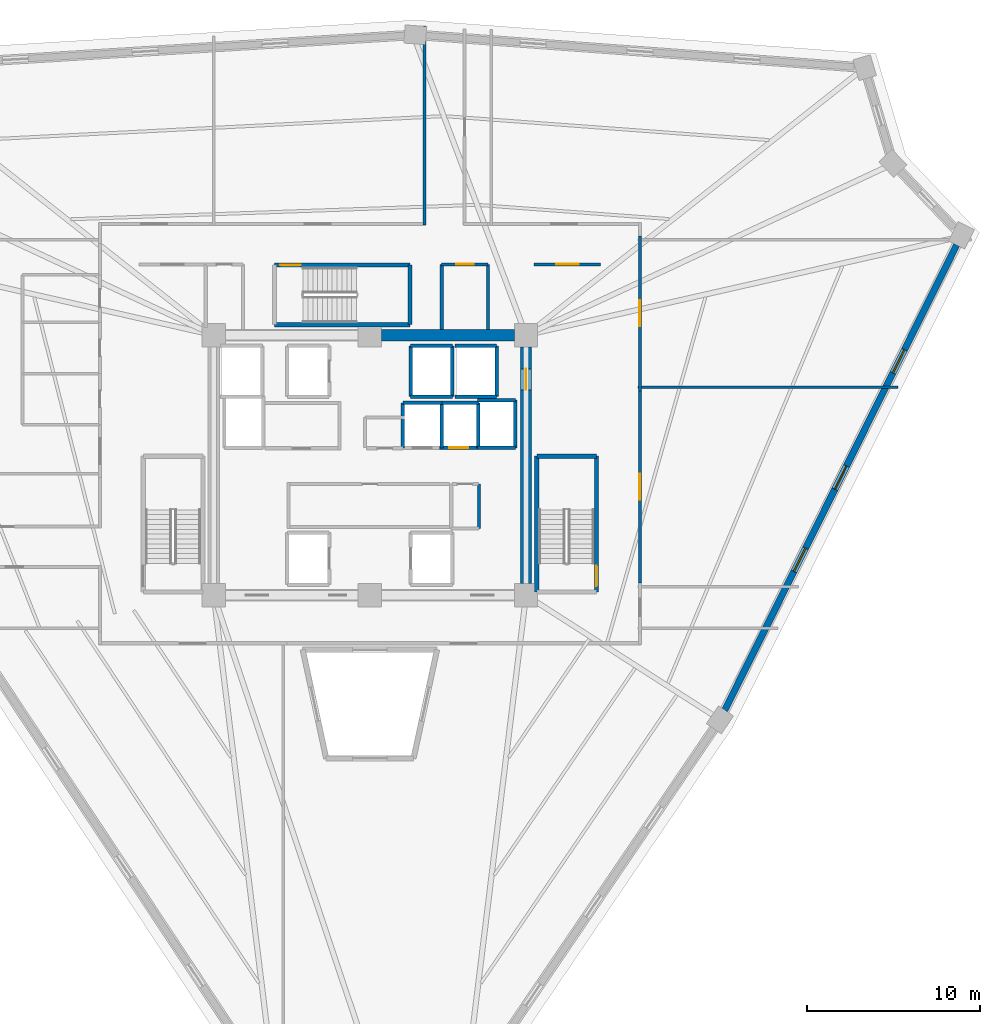
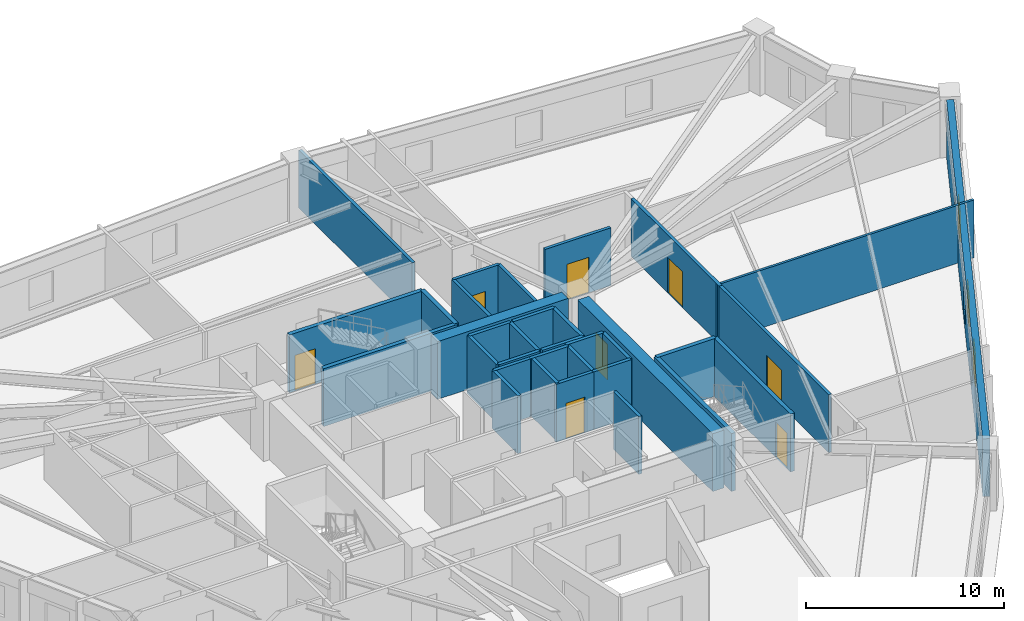
# One storey, part 6 of 8: 34 walls, 8 doors, 3 windows, 11 openings.
"""IFC4 building model written with IfcOpenShell, lengths in metres."""

from ifc_helpers import new_model, si_unit, direction, frame, frame_2d, origin, place, context, subcontext, project, spatial, rectangle, extrude, source, transform, mapped, material, layer, layer_set, type_object, element, fill, save


model = new_model("IFC4")

# Units and contexts
model_context = context("Model", 3, precision=1e-05, world=origin(), true_north=direction((0.0, 1.0)))
body_context = subcontext(model_context, "Body", "Model", "MODEL_VIEW")
ifc_project = project(units=[si_unit("LENGTHUNIT", "METRE"), si_unit("AREAUNIT", "SQUARE_METRE"), si_unit("VOLUMEUNIT", "CUBIC_METRE"), si_unit("PLANEANGLEUNIT", "RADIAN"), si_unit("MASSUNIT", "GRAM", prefix="KILO")], contexts=[model_context])

# Site, building, storey
site_placement = place(None, origin())
site = spatial("IfcSite", under=ifc_project, at=site_placement, CompositionType="ELEMENT")
building_placement = place(site_placement, origin())
building = spatial("IfcBuilding", under=site, at=building_placement, Name="Liaohun Quay Tower", CompositionType="ELEMENT")
storey_placement = place(building_placement, frame((0.0, 0.0, 198.0)))
storey = spatial("IfcBuildingStorey", under=building, at=storey_placement, Name="L51", CompositionType="ELEMENT", Elevation=198.0)

# Wall
ifc_material_1 = material(Name="Concrete C55", Category="concrete")
ifc_layer_1 = layer(ifc_material_1, 0.64990234375, Name="Concrete C55", Category="concrete")
ifc_layer_set_1 = layer_set([ifc_layer_1], Name="Concrete C55")
wall_type_1 = type_object("IfcWallType", Name="WAL-COR-Z3", PredefinedType="SHEAR", material=ifc_layer_set_1)
wall_1_placement = place(storey_placement, frame((60.675048828125, 61.5, 0.0), z_axis=(0.0, 0.0, 1.0), x_axis=(1.0, 0.0, 0.0)))
element("IfcWall", 1, at=wall_1_placement, inside=storey, type_object=wall_type_1, Name="L51 Central Core Shear Wall N-E", PredefinedType="SHEAR", context=body_context, shape_type="SweptSolid", body=[
    extrude(rectangle(XDim=7.64990234375, YDim=0.64990234375, at=frame_2d((3.824951171875, 0.0))), origin(), (0.0, 0.0, 1.0), 3.570068359375),
])

# Wall, opening, door
wall_2_placement = place(storey_placement, frame((69.0, 60.824951171875, 0.0), z_axis=(0.0, 0.0, 1.0), x_axis=(0.0, -1.0, 0.0)))
wall_2 = element("IfcWall", 2, at=wall_2_placement, inside=storey, type_object=wall_type_1, Name="L51 Central Core Shear Wall E", PredefinedType="SHEAR", context=body_context, shape_type="SweptSolid", body=[
    extrude(rectangle(XDim=13.64990234375, YDim=0.64990234375, at=frame_2d((6.824951171875, 0.0))), origin(), (0.0, 0.0, 1.0), 3.570068359375),
])
shared_shape_1 = source(origin(), body_context, "Body", "SweptSolid", [
    extrude(rectangle(XDim=1.199951171875, YDim=2.199951171875, at=frame_2d((0.60009765625, 1.10009765625))), frame((0.0, 0.3349609375, 0.0), z_axis=(0.0, -1.0, 0.0), x_axis=(1.0, 0.0, 0.0)), (0.0, 0.0, 1.0), 0.669921875),
])
opening_1_placement = place(wall_2_placement, frame((1.27490234375, 0.0, 0.0)))
opening_1 = element("IfcOpeningElement", 3, at=opening_1_placement, cuts=wall_2, Name="Opening SD1", PredefinedType="OPENING", context=body_context, shape_type="MappedRepresentation", body=[
    mapped(shared_shape_1, transform((0.0, 0.0, 0.0), x_axis=(1.0, 0.0, 0.0), y_axis=(0.0, 1.0, 0.0), z_axis=(0.0, 0.0, 1.0), scale=1.0)),
])
ifc_material_2 = material(Name="Galvanised steel fire door", Category="steel")
door_type_1 = type_object("IfcDoorType", Name="DOR-STR-1200", OperationType="NOTDEFINED", PredefinedType="DOOR", material=ifc_material_2)
shared_shape_2 = source(origin(), body_context, "Body", "SweptSolid", [
    extrude(rectangle(XDim=1.199951171875, YDim=2.199951171875, at=frame_2d((0.60009765625, 1.10009765625))), frame((0.0, 0.02490234375, 0.0), z_axis=(0.0, -1.0, 0.0), x_axis=(1.0, 0.0, 0.0)), (0.0, 0.0, 1.0), 0.050048828125),
])
door_1_placement = place(opening_1_placement, origin())
door_1 = element("IfcDoor", 4, at=door_1_placement, inside=storey, type_object=door_type_1, Name="L51 North-East Core Lobby Smokeproof Door", OperationType="SINGLE_SWING_LEFT", OverallHeight=2.199951171875, OverallWidth=1.199951171875, PredefinedType="DOOR", context=body_context, shape_type="MappedRepresentation", body=[
    mapped(shared_shape_2, transform((0.0, 0.0, 0.0), x_axis=(1.0, 0.0, 0.0), y_axis=(0.0, 1.0, 0.0), z_axis=(0.0, 0.0, 1.0), scale=1.0)),
])
fill(opening_1, door_1)

# Wall, openings, windows
ifc_material_3 = material(Name="Precast concrete C50 insulated sandwich", Category="concrete")
ifc_layer_2 = layer(ifc_material_3, 0.3798828125, Name="Precast concrete C50 insulated sandwich", Category="concrete")
ifc_layer_set_2 = layer_set([ifc_layer_2], Name="Precast concrete C50 insulated sandwich")
wall_type_2 = type_object("IfcWallType", Name="WAL-EXT-Z34", PredefinedType="SOLIDWALL", material=ifc_layer_set_2)
wall_3_placement = place(storey_placement, frame((80.451904296875, 39.875, 0.0), z_axis=(0.0, 0.0, 1.0), x_axis=(0.446173861236, 0.894946303166, 0.0)))
wall_3 = element("IfcWall", 5, at=wall_3_placement, inside=storey, type_object=wall_type_2, Name="L51 Brutalist Precast Pier Wall 03", PredefinedType="SOLIDWALL", context=body_context, shape_type="SweptSolid", body=[
    extrude(rectangle(XDim=29.970458984375, YDim=0.3798828125, at=frame_2d((14.9853515625, 0.0))), origin(), (0.0, 0.0, 1.0), 3.570068359375),
])
shared_shape_3 = source(origin(), body_context, "Body", "SweptSolid", [
    extrude(rectangle(XDim=1.5, YDim=1.89990234375, at=frame_2d((0.75, 0.949951171875))), frame((0.0, 0.199951171875, 0.0), z_axis=(0.0, -1.0, 0.0), x_axis=(1.0, 0.0, 0.0)), (0.0, 0.0, 1.0), 0.39990234375),
])
opening_2_placement = place(wall_3_placement, frame((8.943115234375, 0.0, 0.550048828125)))
opening_2 = element("IfcOpeningElement", 6, at=opening_2_placement, cuts=wall_3, Name="Opening W03", PredefinedType="OPENING", context=body_context, shape_type="MappedRepresentation", body=[
    mapped(shared_shape_3, transform((0.0, 0.0, 0.0), x_axis=(1.0, 0.0, 0.0), y_axis=(0.0, 1.0, 0.0), z_axis=(0.0, 0.0, 1.0), scale=1.0)),
])
opening_3_placement = place(wall_3_placement, frame((14.235107421875, 0.0, 0.550048828125)))
opening_3 = element("IfcOpeningElement", 7, at=opening_3_placement, cuts=wall_3, Name="Opening W03", PredefinedType="OPENING", context=body_context, shape_type="MappedRepresentation", body=[
    mapped(shared_shape_3, transform((0.0, 0.0, 0.0), x_axis=(1.0, 0.0, 0.0), y_axis=(0.0, 1.0, 0.0), z_axis=(0.0, 0.0, 1.0), scale=1.0)),
])
opening_4_placement = place(wall_3_placement, frame((21.72802734375, 0.0, 0.550048828125)))
opening_4 = element("IfcOpeningElement", 8, at=opening_4_placement, cuts=wall_3, Name="Opening W03", PredefinedType="OPENING", context=body_context, shape_type="MappedRepresentation", body=[
    mapped(shared_shape_3, transform((0.0, 0.0, 0.0), x_axis=(1.0, 0.0, 0.0), y_axis=(0.0, 1.0, 0.0), z_axis=(0.0, 0.0, 1.0), scale=1.0)),
])
ifc_material_4 = material(Name="Triple Low-E argon glazing in thermally broken aluminium", Category="aluminium")
window_type = type_object("IfcWindowType", Name="WIN-PUN-Z3", PartitioningType="DOUBLE_PANEL_VERTICAL", PredefinedType="WINDOW", material=ifc_material_4)
shared_shape_4 = source(origin(), body_context, "Body", "SweptSolid", [
    extrude(rectangle(XDim=1.5, YDim=1.89990234375, at=frame_2d((0.75, 0.949951171875))), frame((0.0, 0.030029296875, 0.0), z_axis=(0.0, -1.0, 0.0), x_axis=(1.0, 0.0, 0.0)), (0.0, 0.0, 1.0), 0.06005859375),
])
window_1_placement = place(opening_2_placement, origin())
window_1 = element("IfcWindow", 9, at=window_1_placement, inside=storey, type_object=window_type, Name="L51 Recessed Cold-Climate Punched Window 03-1", OverallHeight=1.89990234375, OverallWidth=1.5, PartitioningType="DOUBLE_PANEL_VERTICAL", PredefinedType="WINDOW", context=body_context, shape_type="MappedRepresentation", body=[
    mapped(shared_shape_4, transform((0.0, 0.0, 0.0), x_axis=(1.0, 0.0, 0.0), y_axis=(0.0, 1.0, 0.0), z_axis=(0.0, 0.0, 1.0), scale=1.0)),
])
fill(opening_2, window_1)
window_2_placement = place(opening_3_placement, origin())
window_2 = element("IfcWindow", 10, at=window_2_placement, inside=storey, type_object=window_type, Name="L51 Recessed Cold-Climate Punched Window 03-2", OverallHeight=1.89990234375, OverallWidth=1.5, PartitioningType="DOUBLE_PANEL_VERTICAL", PredefinedType="WINDOW", context=body_context, shape_type="MappedRepresentation", body=[
    mapped(shared_shape_4, transform((0.0, 0.0, 0.0), x_axis=(1.0, 0.0, 0.0), y_axis=(0.0, 1.0, 0.0), z_axis=(0.0, 0.0, 1.0), scale=1.0)),
])
fill(opening_3, window_2)
window_3_placement = place(opening_4_placement, origin())
window_3 = element("IfcWindow", 11, at=window_3_placement, inside=storey, type_object=window_type, Name="L51 Recessed Cold-Climate Punched Window 03-3", OverallHeight=1.89990234375, OverallWidth=1.5, PartitioningType="DOUBLE_PANEL_VERTICAL", PredefinedType="WINDOW", context=body_context, shape_type="MappedRepresentation", body=[
    mapped(shared_shape_4, transform((0.0, 0.0, 0.0), x_axis=(1.0, 0.0, 0.0), y_axis=(0.0, 1.0, 0.0), z_axis=(0.0, 0.0, 1.0), scale=1.0)),
])
fill(opening_4, window_3)

# Wall, opening, door
ifc_material_5 = material(Name="Autoclaved aerated concrete blockwork", Category="masonry")
ifc_layer_3 = layer(ifc_material_5, 0.179931640625, Name="Autoclaved aerated concrete blockwork", Category="masonry")
ifc_layer_set_3 = layer_set([ifc_layer_3], Name="Autoclaved aerated concrete blockwork")
wall_type_3 = type_object("IfcWallType", Name="WAL-PRT-COR", PredefinedType="PARTITIONING", material=ifc_layer_set_3)
wall_4_placement = place(storey_placement, frame((64.139892578125, 65.580078125, 0.0), z_axis=(0.0, 0.0, 1.0), x_axis=(1.0, 0.0, 0.0)))
wall_4 = element("IfcWall", 12, at=wall_4_placement, inside=storey, type_object=wall_type_3, Name="L51 Interior Partition Wall 009", PredefinedType="PARTITIONING", context=body_context, shape_type="SweptSolid", body=[
    extrude(rectangle(XDim=2.670166015625, YDim=0.179931640625, at=frame_2d((1.3349609375, 0.0))), origin(), (0.0, 0.0, 1.0), 3.570068359375),
])
shared_shape_5 = source(origin(), body_context, "Body", "SweptSolid", [
    extrude(rectangle(XDim=1.0, YDim=2.199951171875, at=frame_2d((0.5, 1.10009765625))), frame((0.0, 0.099853515625, 0.0), z_axis=(0.0, -1.0, 0.0), x_axis=(1.0, 0.0, 0.0)), (0.0, 0.0, 1.0), 0.199951171875),
])
opening_5_placement = place(wall_4_placement, frame((0.8349609375, 0.0, 0.0)))
opening_5 = element("IfcOpeningElement", 13, at=opening_5_placement, cuts=wall_4, Name="Opening OD1", PredefinedType="OPENING", context=body_context, shape_type="MappedRepresentation", body=[
    mapped(shared_shape_5, transform((0.0, 0.0, 0.0), x_axis=(1.0, 0.0, 0.0), y_axis=(0.0, 1.0, 0.0), z_axis=(0.0, 0.0, 1.0), scale=1.0)),
])
ifc_material_6 = material(Name="Solid-core oak veneer timber leaf in steel frame", Category="steel")
door_type_2 = type_object("IfcDoorType", Name="DOR-OFF-1000", OperationType="NOTDEFINED", PredefinedType="DOOR", material=ifc_material_6)
shared_shape_6 = source(origin(), body_context, "Body", "SweptSolid", [
    extrude(rectangle(XDim=1.0, YDim=2.199951171875, at=frame_2d((0.5, 1.10009765625))), frame((0.0, 0.02490234375, 0.0), z_axis=(0.0, -1.0, 0.0), x_axis=(1.0, 0.0, 0.0)), (0.0, 0.0, 1.0), 0.050048828125),
])
door_2_placement = place(opening_5_placement, origin())
door_2 = element("IfcDoor", 14, at=door_2_placement, inside=storey, type_object=door_type_2, Name="L51 North-East Server Closet Door", OperationType="SINGLE_SWING_LEFT", OverallHeight=2.199951171875, OverallWidth=1.0, PredefinedType="DOOR", context=body_context, shape_type="MappedRepresentation", body=[
    mapped(shared_shape_6, transform((0.0, 0.0, 0.0), x_axis=(1.0, 0.0, 0.0), y_axis=(0.0, 1.0, 0.0), z_axis=(0.0, 0.0, 1.0), scale=1.0)),
])
fill(opening_5, door_2)

wall_5_placement = place(storey_placement, frame((69.4599609375, 65.580078125, 0.0), z_axis=(0.0, 0.0, 1.0), x_axis=(1.0, 0.0, 0.0)))
wall_5 = element("IfcWall", 15, at=wall_5_placement, inside=storey, type_object=wall_type_3, Name="L51 Interior Partition Wall 011", PredefinedType="PARTITIONING", context=body_context, shape_type="SweptSolid", body=[
    extrude(rectangle(XDim=3.840087890625, YDim=0.179931640625, at=frame_2d((1.919921875, 0.0))), origin(), (0.0, 0.0, 1.0), 3.570068359375),
])
shared_shape_7 = source(origin(), body_context, "Body", "SweptSolid", [
    extrude(rectangle(XDim=1.300048828125, YDim=2.199951171875, at=frame_2d((0.64990234375, 1.10009765625))), frame((0.0, 0.099853515625, 0.0), z_axis=(0.0, -1.0, 0.0), x_axis=(1.0, 0.0, 0.0)), (0.0, 0.0, 1.0), 0.199951171875),
])
opening_6_placement = place(wall_5_placement, frame((1.27001953125, 0.0, 0.0)))
opening_6 = element("IfcOpeningElement", 16, at=opening_6_placement, cuts=wall_5, Name="Opening FD1", PredefinedType="OPENING", context=body_context, shape_type="MappedRepresentation", body=[
    mapped(shared_shape_7, transform((0.0, 0.0, 0.0), x_axis=(1.0, 0.0, 0.0), y_axis=(0.0, 1.0, 0.0), z_axis=(0.0, 0.0, 1.0), scale=1.0)),
])
ifc_material_7 = material(Name="Galvanised steel smokeproof fire door", Category="steel")
door_type_3 = type_object("IfcDoorType", Name="DOR-FFL-1300", OperationType="NOTDEFINED", PredefinedType="DOOR", material=ifc_material_7)
shared_shape_8 = source(origin(), body_context, "Body", "SweptSolid", [
    extrude(rectangle(XDim=1.300048828125, YDim=2.199951171875, at=frame_2d((0.64990234375, 1.10009765625))), frame((0.0, 0.02490234375, 0.0), z_axis=(0.0, -1.0, 0.0), x_axis=(1.0, 0.0, 0.0)), (0.0, 0.0, 1.0), 0.050048828125),
])
door_3_placement = place(opening_6_placement, origin())
door_3 = element("IfcDoor", 17, at=door_3_placement, inside=storey, type_object=door_type_3, Name="L51 East Core Vestibule Door", OperationType="SINGLE_SWING_LEFT", OverallHeight=2.199951171875, OverallWidth=1.300048828125, PredefinedType="DOOR", context=body_context, shape_type="MappedRepresentation", body=[
    mapped(shared_shape_8, transform((0.0, 0.0, 0.0), x_axis=(1.0, 0.0, 0.0), y_axis=(0.0, 1.0, 0.0), z_axis=(0.0, 0.0, 1.0), scale=1.0)),
])
fill(opening_6, door_3)

wall_6_placement = place(storey_placement, frame((75.56005859375, 67.215087890625, 0.0), z_axis=(0.0, 0.0, 1.0), x_axis=(0.0, -1.0, 0.0)))
wall_6 = element("IfcWall", 18, at=wall_6_placement, inside=storey, type_object=wall_type_3, Name="L51 Interior Partition Wall 012", PredefinedType="PARTITIONING", context=body_context, shape_type="SweptSolid", body=[
    extrude(rectangle(XDim=8.93017578125, YDim=0.179931640625, at=frame_2d((4.465087890625, 0.0))), origin(), (0.0, 0.0, 1.0), 3.570068359375),
])
shared_shape_9 = source(origin(), body_context, "Body", "SweptSolid", [
    extrude(rectangle(XDim=1.5, YDim=2.199951171875, at=frame_2d((0.75, 1.10009765625))), frame((0.0, 0.099853515625, 0.0), z_axis=(0.0, -1.0, 0.0), x_axis=(1.0, 0.0, 0.0)), (0.0, 0.0, 1.0), 0.199951171875),
])
opening_7_placement = place(wall_6_placement, frame((3.715087890625, 0.0, 0.0)))
opening_7 = element("IfcOpeningElement", 19, at=opening_7_placement, cuts=wall_6, Name="Opening OD2", PredefinedType="OPENING", context=body_context, shape_type="MappedRepresentation", body=[
    mapped(shared_shape_9, transform((0.0, 0.0, 0.0), x_axis=(1.0, 0.0, 0.0), y_axis=(0.0, 1.0, 0.0), z_axis=(0.0, 0.0, 1.0), scale=1.0)),
])
ifc_material_8 = material(Name="Acoustic oak veneer double door")
door_type_4 = type_object("IfcDoorType", Name="DOR-OFF-1500", OperationType="DOUBLE_DOOR_SINGLE_SWING", PredefinedType="DOOR", material=ifc_material_8)
shared_shape_10 = source(origin(), body_context, "Body", "SweptSolid", [
    extrude(rectangle(XDim=1.5, YDim=2.199951171875, at=frame_2d((0.75, 1.10009765625))), frame((0.0, 0.02490234375, 0.0), z_axis=(0.0, -1.0, 0.0), x_axis=(1.0, 0.0, 0.0)), (0.0, 0.0, 1.0), 0.050048828125),
])
door_4_placement = place(opening_7_placement, origin())
door_4 = element("IfcDoor", 20, at=door_4_placement, inside=storey, type_object=door_type_4, Name="L51 Staff Daycare Nursery 01 Door", OperationType="DOUBLE_DOOR_SINGLE_SWING", OverallHeight=2.199951171875, OverallWidth=1.5, PredefinedType="DOOR", context=body_context, shape_type="MappedRepresentation", body=[
    mapped(shared_shape_10, transform((0.0, 0.0, 0.0), x_axis=(1.0, 0.0, 0.0), y_axis=(0.0, 1.0, 0.0), z_axis=(0.0, 0.0, 1.0), scale=1.0)),
])
fill(opening_7, door_4)

wall_7_placement = place(storey_placement, frame((75.56005859375, 58.284912109375, 0.0), z_axis=(0.0, 0.0, 1.0), x_axis=(0.0, -1.0, 0.0)))
wall_7 = element("IfcWall", 21, at=wall_7_placement, inside=storey, type_object=wall_type_3, Name="L51 Interior Partition Wall 023", PredefinedType="PARTITIONING", context=body_context, shape_type="SweptSolid", body=[
    extrude(rectangle(XDim=11.06982421875, YDim=0.179931640625, at=frame_2d((5.534912109375, 0.0))), origin(), (0.0, 0.0, 1.0), 3.570068359375),
])
opening_8_placement = place(wall_7_placement, frame((4.784912109375, 0.0, 0.0)))
opening_8 = element("IfcOpeningElement", 22, at=opening_8_placement, cuts=wall_7, Name="Opening OD2", PredefinedType="OPENING", context=body_context, shape_type="MappedRepresentation", body=[
    mapped(shared_shape_9, transform((0.0, 0.0, 0.0), x_axis=(1.0, 0.0, 0.0), y_axis=(0.0, 1.0, 0.0), z_axis=(0.0, 0.0, 1.0), scale=1.0)),
])
door_5_placement = place(opening_8_placement, origin())
door_5 = element("IfcDoor", 23, at=door_5_placement, inside=storey, type_object=door_type_4, Name="L51 Client Reception Office 12 Door", OperationType="DOUBLE_DOOR_SINGLE_SWING", OverallHeight=2.199951171875, OverallWidth=1.5, PredefinedType="DOOR", context=body_context, shape_type="MappedRepresentation", body=[
    mapped(shared_shape_10, transform((0.0, 0.0, 0.0), x_axis=(1.0, 0.0, 0.0), y_axis=(0.0, 1.0, 0.0), z_axis=(0.0, 0.0, 1.0), scale=1.0)),
])
fill(opening_8, door_5)

# Walls
wall_8_placement = place(storey_placement, frame((66.280029296875, 50.35009765625, 0.0), z_axis=(0.0, 0.0, 1.0), x_axis=(0.0, 1.0, 0.0)))
element("IfcWall", 24, at=wall_8_placement, inside=storey, type_object=wall_type_3, Name="L51 Interior Partition Wall 028", PredefinedType="PARTITIONING", context=body_context, shape_type="SweptSolid", body=[
    extrude(rectangle(XDim=2.56982421875, YDim=0.179931640625, at=frame_2d((1.284912109375, 0.0))), origin(), (0.0, 0.0, 1.0), 3.570068359375),
])
for number, where, z_axis, x_axis, name in (
    (25, (64.139892578125, 61.824951171875, 0.0), (0.0, 0.0, 1.0), (0.0, 1.0, 0.0), "L51 Interior Partition Wall 036"),
    (26, (66.81005859375, 61.824951171875, 0.0), (0.0, 0.0, 1.0), (0.0, 1.0, 0.0), "L51 Interior Partition Wall 037"),
):
    element("IfcWall", number, at=place(storey_placement, frame(where, z_axis=z_axis, x_axis=x_axis)), inside=storey, type_object=wall_type_3, Name=name, PredefinedType="PARTITIONING", context=body_context, shape_type="SweptSolid", body=[
        extrude(rectangle(XDim=3.755126953125, YDim=0.179931640625, at=frame_2d((1.87744140625, 0.0))), origin(), (0.0, 0.0, 1.0), 3.570068359375),
    ])
wall_9_placement = place(storey_placement, frame((63.139892578125, 67.840087890625, 0.0), z_axis=(0.0, 0.0, 1.0), x_axis=(0.0, 1.0, 0.0)))
element("IfcWall", 27, at=wall_9_placement, inside=storey, type_object=wall_type_3, Name="L51 Interior Partition Wall 040", PredefinedType="PARTITIONING", context=body_context, shape_type="SweptSolid", body=[
    extrude(rectangle(XDim=11.474853515625, YDim=0.179931640625, at=frame_2d((5.7373046875, 0.0))), origin(), (0.0, 0.0, 1.0), 3.570068359375),
])
ifc_material_9 = material(Name="Gypsum board on twin steel studs", Category="steel")
ifc_layer_4 = layer(ifc_material_9, 0.139892578125, Name="Gypsum board on twin steel studs", Category="steel")
ifc_layer_set_4 = layer_set([ifc_layer_4], Name="Gypsum board on twin steel studs")
wall_type_4 = type_object("IfcWallType", Name="WAL-PRT-OFF", PredefinedType="PARTITIONING", material=ifc_layer_set_4)
wall_10_placement = place(storey_placement, frame((75.4599609375, 58.5, 0.0), z_axis=(0.0, 0.0, 1.0), x_axis=(1.0, 0.0, 0.0)))
element("IfcWall", 28, at=wall_10_placement, inside=storey, type_object=wall_type_4, Name="L51 Interior Partition Wall 052", PredefinedType="PARTITIONING", context=body_context, shape_type="SweptSolid", body=[
    extrude(rectangle(XDim=14.98095703125, YDim=0.139892578125, at=frame_2d((7.490478515625, 0.0))), origin(), (0.0, 0.0, 1.0), 3.570068359375),
])

# Wall, opening, door
ifc_material_10 = material(Name="Concrete C50", Category="concrete")
ifc_layer_5 = layer(ifc_material_10, 0.239990234375, Name="Concrete C50", Category="concrete")
ifc_layer_set_5 = layer_set([ifc_layer_5], Name="Concrete C50")
wall_type_5 = type_object("IfcWallType", Name="WAL-SHF-200", PredefinedType="SOLIDWALL", material=ifc_layer_set_5)
wall_11_placement = place(storey_placement, frame((73.06005859375, 46.699951171875, 0.0), z_axis=(0.0, 0.0, 1.0), x_axis=(0.0, 1.0, 0.0)))
wall_11 = element("IfcWall", 29, at=wall_11_placement, inside=storey, type_object=wall_type_5, Name="L51 Stairwell ST-2 Structural Core Wall E", PredefinedType="SOLIDWALL", context=body_context, shape_type="SweptSolid", body=[
    extrude(rectangle(XDim=7.820068359375, YDim=0.239990234375, at=frame_2d((3.91015625, 0.0))), origin(), (0.0, 0.0, 1.0), 3.570068359375),
])
shared_shape_11 = source(origin(), body_context, "Body", "SweptSolid", [
    extrude(rectangle(XDim=1.199951171875, YDim=2.199951171875, at=frame_2d((0.60009765625, 1.10009765625))), frame((0.0, 0.1298828125, 0.0), z_axis=(0.0, -1.0, 0.0), x_axis=(1.0, 0.0, 0.0)), (0.0, 0.0, 1.0), 0.260009765625),
])
opening_9_placement = place(wall_11_placement, frame((0.320068359375, 0.0, 0.0)))
opening_9 = element("IfcOpeningElement", 30, at=opening_9_placement, cuts=wall_11, Name="Opening SD1", PredefinedType="OPENING", context=body_context, shape_type="MappedRepresentation", body=[
    mapped(shared_shape_11, transform((0.0, 0.0, 0.0), x_axis=(1.0, 0.0, 0.0), y_axis=(0.0, 1.0, 0.0), z_axis=(0.0, 0.0, 1.0), scale=1.0)),
])
door_6_placement = place(opening_9_placement, origin())
door_6 = element("IfcDoor", 31, at=door_6_placement, inside=storey, type_object=door_type_1, Name="L51 Protected Stair ST-2 Fire Door", OperationType="SINGLE_SWING_RIGHT", OverallHeight=2.199951171875, OverallWidth=1.199951171875, PredefinedType="DOOR", context=body_context, shape_type="MappedRepresentation", body=[
    mapped(shared_shape_2, transform((0.0, 0.0, 0.0), x_axis=(1.0, 0.0, 0.0), y_axis=(0.0, 1.0, 0.0), z_axis=(0.0, 0.0, 1.0), scale=1.0)),
])
fill(opening_9, door_6)

# Walls
wall_12_placement = place(storey_placement, frame((73.06005859375, 54.52001953125, 0.0), z_axis=(0.0, 0.0, 1.0), x_axis=(-1.0, 0.0, 0.0)))
element("IfcWall", 32, at=wall_12_placement, inside=storey, type_object=wall_type_5, Name="L51 Stairwell ST-2 Structural Core Wall N", PredefinedType="SOLIDWALL", context=body_context, shape_type="SweptSolid", body=[
    extrude(rectangle(XDim=3.43994140625, YDim=0.239990234375, at=frame_2d((1.719970703125, 0.0))), origin(), (0.0, 0.0, 1.0), 3.570068359375),
])
for number, where, z_axis, x_axis, name in (
    (33, (69.6201171875, 54.52001953125, 0.0), (0.0, 0.0, 1.0), (0.0, -1.0, 0.0), "L51 Stairwell ST-2 Structural Core Wall W"),
    (34, (54.5, 62.10009765625, 0.0), (0.0, 0.0, 1.0), (1.0, 0.0, 0.0), "L51 Stairwell ST-3 Structural Core Wall S"),
):
    element("IfcWall", number, at=place(storey_placement, frame(where, z_axis=z_axis, x_axis=x_axis)), inside=storey, type_object=wall_type_5, Name=name, PredefinedType="SOLIDWALL", context=body_context, shape_type="SweptSolid", body=[
        extrude(rectangle(XDim=7.820068359375, YDim=0.239990234375, at=frame_2d((3.91015625, 0.0))), origin(), (0.0, 0.0, 1.0), 3.570068359375),
    ])
wall_13_placement = place(storey_placement, frame((62.320068359375, 62.10009765625, 0.0), z_axis=(0.0, 0.0, 1.0), x_axis=(0.0, 1.0, 0.0)))
element("IfcWall", 35, at=wall_13_placement, inside=storey, type_object=wall_type_5, Name="L51 Stairwell ST-3 Structural Core Wall E", PredefinedType="SOLIDWALL", context=body_context, shape_type="SweptSolid", body=[
    extrude(rectangle(XDim=3.43994140625, YDim=0.239990234375, at=frame_2d((1.719970703125, 0.0))), origin(), (0.0, 0.0, 1.0), 3.570068359375),
])

# Wall, opening, door
wall_14_placement = place(storey_placement, frame((62.320068359375, 65.5400390625, 0.0), z_axis=(0.0, 0.0, 1.0), x_axis=(-1.0, 0.0, 0.0)))
wall_14 = element("IfcWall", 36, at=wall_14_placement, inside=storey, type_object=wall_type_5, Name="L51 Stairwell ST-3 Structural Core Wall N", PredefinedType="SOLIDWALL", context=body_context, shape_type="SweptSolid", body=[
    extrude(rectangle(XDim=7.820068359375, YDim=0.239990234375, at=frame_2d((3.91015625, 0.0))), origin(), (0.0, 0.0, 1.0), 3.570068359375),
])
opening_10_placement = place(wall_14_placement, frame((6.300048828125, 0.0, 0.0)))
opening_10 = element("IfcOpeningElement", 37, at=opening_10_placement, cuts=wall_14, Name="Opening SD1", PredefinedType="OPENING", context=body_context, shape_type="MappedRepresentation", body=[
    mapped(shared_shape_11, transform((0.0, 0.0, 0.0), x_axis=(1.0, 0.0, 0.0), y_axis=(0.0, 1.0, 0.0), z_axis=(0.0, 0.0, 1.0), scale=1.0)),
])
door_7_placement = place(opening_10_placement, origin())
door_7 = element("IfcDoor", 38, at=door_7_placement, inside=storey, type_object=door_type_1, Name="L51 Protected Stair ST-3 Fire Door", OperationType="SINGLE_SWING_RIGHT", OverallHeight=2.199951171875, OverallWidth=1.199951171875, PredefinedType="DOOR", context=body_context, shape_type="MappedRepresentation", body=[
    mapped(shared_shape_2, transform((0.0, 0.0, 0.0), x_axis=(1.0, 0.0, 0.0), y_axis=(0.0, 1.0, 0.0), z_axis=(0.0, 0.0, 1.0), scale=1.0)),
])
fill(opening_10, door_7)

# Walls
wall_15_placement = place(storey_placement, frame((62.35009765625, 57.949951171875, 0.0), z_axis=(0.0, 0.0, 1.0), x_axis=(1.0, 0.0, 0.0)))
element("IfcWall", 39, at=wall_15_placement, inside=storey, type_object=wall_type_5, Name="L51 Lift OB-01 Hoistway Wall S", PredefinedType="SOLIDWALL", context=body_context, shape_type="SweptSolid", body=[
    extrude(rectangle(XDim=2.39990234375, YDim=0.199951171875, at=frame_2d((1.199951171875, 0.0))), origin(), (0.0, 0.0, 1.0), 3.570068359375),
])
wall_16_placement = place(storey_placement, frame((64.75, 57.949951171875, 0.0), z_axis=(0.0, 0.0, 1.0), x_axis=(0.0, 1.0, 0.0)))
element("IfcWall", 40, at=wall_16_placement, inside=storey, type_object=wall_type_5, Name="L51 Lift OB-01 Hoistway Wall E", PredefinedType="SOLIDWALL", context=body_context, shape_type="SweptSolid", body=[
    extrude(rectangle(XDim=2.929931640625, YDim=0.199951171875, at=frame_2d((1.46484375, 0.0))), origin(), (0.0, 0.0, 1.0), 3.570068359375),
])
wall_17_placement = place(storey_placement, frame((64.75, 60.8798828125, 0.0), z_axis=(0.0, 0.0, 1.0), x_axis=(-1.0, 0.0, 0.0)))
element("IfcWall", 41, at=wall_17_placement, inside=storey, type_object=wall_type_5, Name="L51 Lift OB-01 Hoistway Wall N", PredefinedType="SOLIDWALL", context=body_context, shape_type="SweptSolid", body=[
    extrude(rectangle(XDim=2.39990234375, YDim=0.199951171875, at=frame_2d((1.199951171875, 0.0))), origin(), (0.0, 0.0, 1.0), 3.570068359375),
])
wall_18_placement = place(storey_placement, frame((62.35009765625, 60.8798828125, 0.0), z_axis=(0.0, 0.0, 1.0), x_axis=(0.0, -1.0, 0.0)))
element("IfcWall", 42, at=wall_18_placement, inside=storey, type_object=wall_type_5, Name="L51 Lift OB-01 Hoistway Wall W", PredefinedType="SOLIDWALL", context=body_context, shape_type="SweptSolid", body=[
    extrude(rectangle(XDim=2.929931640625, YDim=0.199951171875, at=frame_2d((1.46484375, 0.0))), origin(), (0.0, 0.0, 1.0), 3.570068359375),
])
wall_19_placement = place(storey_placement, frame((64.89990234375, 57.949951171875, 0.0), z_axis=(0.0, 0.0, 1.0), x_axis=(1.0, 0.0, 0.0)))
element("IfcWall", 43, at=wall_19_placement, inside=storey, type_object=wall_type_5, Name="L51 Lift OB-02 Hoistway Wall S", PredefinedType="SOLIDWALL", context=body_context, shape_type="SweptSolid", body=[
    extrude(rectangle(XDim=2.400146484375, YDim=0.199951171875, at=frame_2d((1.2001953125, 0.0))), origin(), (0.0, 0.0, 1.0), 3.570068359375),
])
wall_20_placement = place(storey_placement, frame((67.300048828125, 57.949951171875, 0.0), z_axis=(0.0, 0.0, 1.0), x_axis=(0.0, 1.0, 0.0)))
element("IfcWall", 44, at=wall_20_placement, inside=storey, type_object=wall_type_5, Name="L51 Lift OB-02 Hoistway Wall E", PredefinedType="SOLIDWALL", context=body_context, shape_type="SweptSolid", body=[
    extrude(rectangle(XDim=2.929931640625, YDim=0.199951171875, at=frame_2d((1.46484375, 0.0))), origin(), (0.0, 0.0, 1.0), 3.570068359375),
])
wall_21_placement = place(storey_placement, frame((67.300048828125, 60.8798828125, 0.0), z_axis=(0.0, 0.0, 1.0), x_axis=(-1.0, 0.0, 0.0)))
element("IfcWall", 45, at=wall_21_placement, inside=storey, type_object=wall_type_5, Name="L51 Lift OB-02 Hoistway Wall N", PredefinedType="SOLIDWALL", context=body_context, shape_type="SweptSolid", body=[
    extrude(rectangle(XDim=2.400146484375, YDim=0.199951171875, at=frame_2d((1.2001953125, 0.0))), origin(), (0.0, 0.0, 1.0), 3.570068359375),
])
wall_22_placement = place(storey_placement, frame((66.199951171875, 55.0, 0.0), z_axis=(0.0, 0.0, 1.0), x_axis=(1.0, 0.0, 0.0)))
element("IfcWall", 46, at=wall_22_placement, inside=storey, type_object=wall_type_5, Name="L51 Lift SH-03 Hoistway Wall S", PredefinedType="SOLIDWALL", context=body_context, shape_type="SweptSolid", body=[
    extrude(rectangle(XDim=2.179931640625, YDim=0.199951171875, at=frame_2d((1.08984375, 0.0))), origin(), (0.0, 0.0, 1.0), 3.570068359375),
])
wall_23_placement = place(storey_placement, frame((68.3798828125, 55.0, 0.0), z_axis=(0.0, 0.0, 1.0), x_axis=(0.0, 1.0, 0.0)))
element("IfcWall", 47, at=wall_23_placement, inside=storey, type_object=wall_type_5, Name="L51 Lift SH-03 Hoistway Wall E", PredefinedType="SOLIDWALL", context=body_context, shape_type="SweptSolid", body=[
    extrude(rectangle(XDim=2.75, YDim=0.199951171875, at=frame_2d((1.375, 0.0))), origin(), (0.0, 0.0, 1.0), 3.570068359375),
])
wall_24_placement = place(storey_placement, frame((68.3798828125, 57.75, 0.0), z_axis=(0.0, 0.0, 1.0), x_axis=(-1.0, 0.0, 0.0)))
element("IfcWall", 48, at=wall_24_placement, inside=storey, type_object=wall_type_5, Name="L51 Lift SH-03 Hoistway Wall N", PredefinedType="SOLIDWALL", context=body_context, shape_type="SweptSolid", body=[
    extrude(rectangle(XDim=2.179931640625, YDim=0.199951171875, at=frame_2d((1.08984375, 0.0))), origin(), (0.0, 0.0, 1.0), 3.570068359375),
])
wall_25_placement = place(storey_placement, frame((64.14990234375, 55.0, 0.0), z_axis=(0.0, 0.0, 1.0), x_axis=(0.0, 1.0, 0.0)))
element("IfcWall", 49, at=wall_25_placement, inside=storey, type_object=wall_type_5, Name="L51 Lift PL-3A Hoistway Wall E", PredefinedType="SOLIDWALL", context=body_context, shape_type="SweptSolid", body=[
    extrude(rectangle(XDim=2.60009765625, YDim=0.199951171875, at=frame_2d((1.300048828125, 0.0))), origin(), (0.0, 0.0, 1.0), 3.570068359375),
])
wall_26_placement = place(storey_placement, frame((64.14990234375, 57.60009765625, 0.0), z_axis=(0.0, 0.0, 1.0), x_axis=(-1.0, 0.0, 0.0)))
element("IfcWall", 50, at=wall_26_placement, inside=storey, type_object=wall_type_5, Name="L51 Lift PL-3A Hoistway Wall N", PredefinedType="SOLIDWALL", context=body_context, shape_type="SweptSolid", body=[
    extrude(rectangle(XDim=2.25, YDim=0.199951171875, at=frame_2d((1.125, 0.0))), origin(), (0.0, 0.0, 1.0), 3.570068359375),
])
wall_27_placement = place(storey_placement, frame((61.89990234375, 57.60009765625, 0.0), z_axis=(0.0, 0.0, 1.0), x_axis=(0.0, -1.0, 0.0)))
element("IfcWall", 51, at=wall_27_placement, inside=storey, type_object=wall_type_5, Name="L51 Lift PL-3A Hoistway Wall W", PredefinedType="SOLIDWALL", context=body_context, shape_type="SweptSolid", body=[
    extrude(rectangle(XDim=2.60009765625, YDim=0.199951171875, at=frame_2d((1.300048828125, 0.0))), origin(), (0.0, 0.0, 1.0), 3.570068359375),
])

# Wall, opening, door
wall_28_placement = place(storey_placement, frame((64.0, 55.0, 0.0), z_axis=(0.0, 0.0, 1.0), x_axis=(1.0, 0.0, 0.0)))
wall_28 = element("IfcWall", 52, at=wall_28_placement, inside=storey, type_object=wall_type_5, Name="L51 Lift PL-3B Hoistway Wall S", PredefinedType="SOLIDWALL", context=body_context, shape_type="SweptSolid", body=[
    extrude(rectangle(XDim=2.25, YDim=0.199951171875, at=frame_2d((1.125, 0.0))), origin(), (0.0, 0.0, 1.0), 3.570068359375),
])
shared_shape_12 = source(origin(), body_context, "Body", "SweptSolid", [
    extrude(rectangle(XDim=1.10009765625, YDim=2.199951171875, at=frame_2d((0.550048828125, 1.10009765625))), frame((0.0, 0.10986328125, 0.0), z_axis=(0.0, -1.0, 0.0), x_axis=(1.0, 0.0, 0.0)), (0.0, 0.0, 1.0), 0.219970703125),
])
opening_11_placement = place(wall_28_placement, frame((0.574951171875, 0.0, 0.0)))
opening_11 = element("IfcOpeningElement", 53, at=opening_11_placement, cuts=wall_28, Name="Opening LD1", PredefinedType="OPENING", context=body_context, shape_type="MappedRepresentation", body=[
    mapped(shared_shape_12, transform((0.0, 0.0, 0.0), x_axis=(1.0, 0.0, 0.0), y_axis=(0.0, 1.0, 0.0), z_axis=(0.0, 0.0, 1.0), scale=1.0)),
])
ifc_material_11 = material(Name="Brushed stainless steel landing door", Category="steel")
door_type_5 = type_object("IfcDoorType", Name="DOR-LFT-1100", OperationType="SLIDING_TO_LEFT", PredefinedType="DOOR", material=ifc_material_11)
shared_shape_13 = source(origin(), body_context, "Body", "SweptSolid", [
    extrude(rectangle(XDim=1.10009765625, YDim=2.199951171875, at=frame_2d((0.550048828125, 1.10009765625))), frame((0.0, 0.02490234375, 0.0), z_axis=(0.0, -1.0, 0.0), x_axis=(1.0, 0.0, 0.0)), (0.0, 0.0, 1.0), 0.050048828125),
])
door_8_placement = place(opening_11_placement, origin())
door_8 = element("IfcDoor", 54, at=door_8_placement, inside=storey, type_object=door_type_5, Name="L51 Lift PL-3B Sliding Landing Door", OperationType="SLIDING_TO_LEFT", OverallHeight=2.199951171875, OverallWidth=1.10009765625, PredefinedType="DOOR", context=body_context, shape_type="MappedRepresentation", body=[
    mapped(shared_shape_13, transform((0.0, 0.0, 0.0), x_axis=(1.0, 0.0, 0.0), y_axis=(0.0, 1.0, 0.0), z_axis=(0.0, 0.0, 1.0), scale=1.0)),
])
fill(opening_11, door_8)

# Walls
wall_29_placement = place(storey_placement, frame((66.25, 55.0, 0.0), z_axis=(0.0, 0.0, 1.0), x_axis=(0.0, 1.0, 0.0)))
element("IfcWall", 55, at=wall_29_placement, inside=storey, type_object=wall_type_5, Name="L51 Lift PL-3B Hoistway Wall E", PredefinedType="SOLIDWALL", context=body_context, shape_type="SweptSolid", body=[
    extrude(rectangle(XDim=2.60009765625, YDim=0.199951171875, at=frame_2d((1.300048828125, 0.0))), origin(), (0.0, 0.0, 1.0), 3.570068359375),
])
wall_30_placement = place(storey_placement, frame((66.25, 57.60009765625, 0.0), z_axis=(0.0, 0.0, 1.0), x_axis=(-1.0, 0.0, 0.0)))
element("IfcWall", 56, at=wall_30_placement, inside=storey, type_object=wall_type_5, Name="L51 Lift PL-3B Hoistway Wall N", PredefinedType="SOLIDWALL", context=body_context, shape_type="SweptSolid", body=[
    extrude(rectangle(XDim=2.25, YDim=0.199951171875, at=frame_2d((1.125, 0.0))), origin(), (0.0, 0.0, 1.0), 3.570068359375),
])

save(model, "model.ifc")
